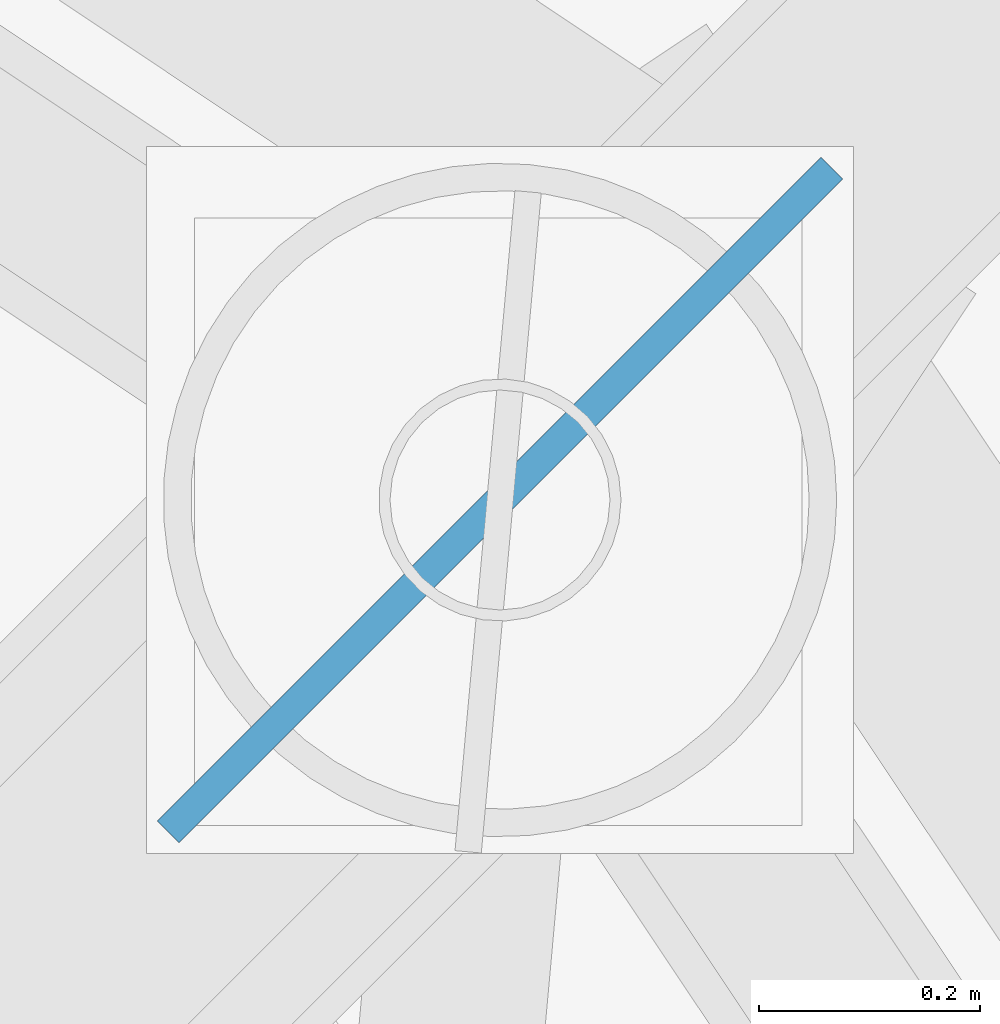
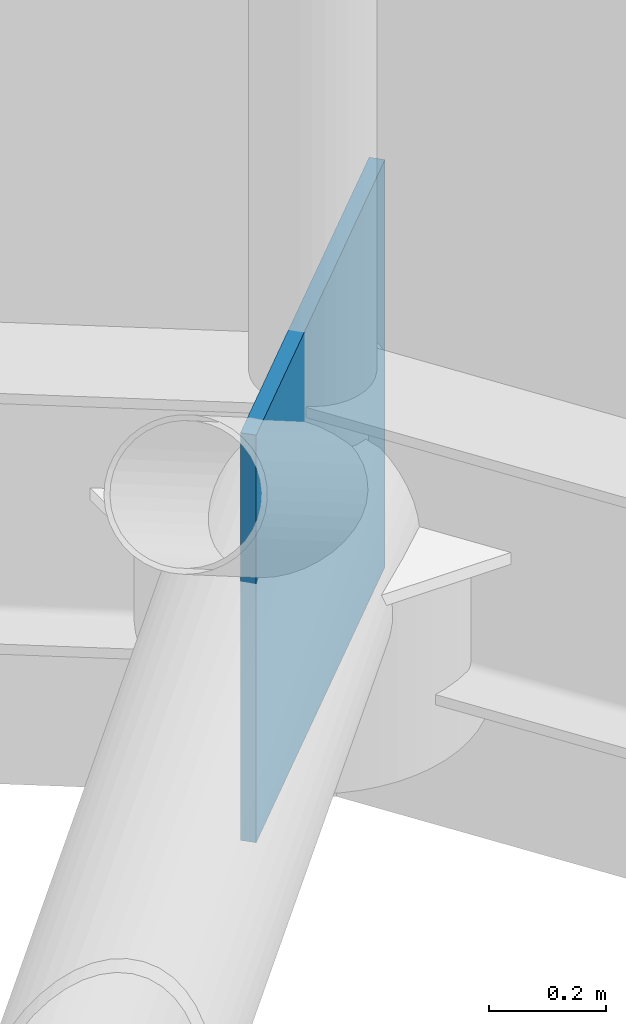
# One storey, part 119 of 146: 1 plate.
"""IFC4 building model written with IfcOpenShell, lengths in metres."""

import ifcopenshell
import ifcopenshell.guid

model = None  # the IFC model being written
_history = None  # IfcOwnerHistory: only IFC2X3 demands one
_inside = {}  # id of a spatial element -> (the spatial element, [elements in it])
_under = {}  # id of a project, library or spatial element -> (it, [spatial elements below it])
_declared = {}  # id of a project -> (the project, [libraries it declares])
_typed = {}  # id of a type object -> (the type object, [elements of that type])
_made_of = {}  # id of a material, layer set ... -> (it, [elements and type objects made of it])


def new_model(schema):
    """Start an empty IFC model of exactly this schema.

    Asked for "IFC4X3", IfcOpenShell would pick the latest addendum, in which some entities
    have other attributes; the version numbers below select the first issue.
    IFC2X3 requires an IfcOwnerHistory on every rooted entity: one is made here for all.
    """
    global model, _history
    if schema == "IFC4X3":
        model = ifcopenshell.file(schema_version=(4, 3, 0, 0))
    else:
        model = ifcopenshell.file(schema=schema)
    _inside.clear()
    _under.clear()
    _declared.clear()
    _typed.clear()
    _made_of.clear()
    _history = None
    if model.schema == "IFC2X3":
        org = make("IfcOrganization", Name="unknown")
        user = make(
            "IfcPersonAndOrganization",
            ThePerson=make("IfcPerson", FamilyName="unknown"),
            TheOrganization=org,
        )
        app = make(
            "IfcApplication",
            ApplicationDeveloper=org,
            Version="unknown",
            ApplicationFullName="unknown",
            ApplicationIdentifier="unknown",
        )
        _history = make(
            "IfcOwnerHistory",
            OwningUser=user,
            OwningApplication=app,
            ChangeAction="ADDED",
            CreationDate=0,
        )
    return model


def make(cls, **values):
    """One entity of the class cls with the attributes given. An attribute that is None is left unset."""
    return model.create_entity(
        cls, **{name: value for name, value in values.items() if value is not None}
    )


def rooted(cls, **values):
    """An entity with a GlobalId (a new one), such as an element, a storey or a relation."""
    return make(cls, GlobalId=ifcopenshell.guid.new(), OwnerHistory=_history, **values)


def si_unit(unit_type, name, prefix=None):
    """IfcSIUnit, for example si_unit("LENGTHUNIT", "METRE", prefix="MILLI")."""
    return make("IfcSIUnit", UnitType=unit_type, Prefix=prefix, Name=name)


def assignment(units):
    """IfcUnitAssignment: the units of a project."""
    return None if units is None else make("IfcUnitAssignment", Units=units)


def point(xyz):
    """IfcCartesianPoint."""
    return None if xyz is None else make("IfcCartesianPoint", Coordinates=xyz)


def direction(xyz):
    """IfcDirection."""
    return None if xyz is None else make("IfcDirection", DirectionRatios=xyz)


def frame(location, z_axis=None, x_axis=None):
    """IfcAxis2Placement3D, a coordinate frame: its origin and axes. An axis left out is left unset."""
    return make(
        "IfcAxis2Placement3D",
        Location=point(location),
        Axis=direction(z_axis),
        RefDirection=direction(x_axis),
    )


def frame_2d(location, x_axis=None):
    """IfcAxis2Placement2D, a coordinate frame in the plane: its origin and x axis."""
    return make(
        "IfcAxis2Placement2D", Location=point(location), RefDirection=direction(x_axis)
    )


def origin():
    """The frame at (0, 0, 0) with its axes left unset."""
    return frame((0.0, 0.0, 0.0))


def origin_2d():
    """The frame at (0, 0) in the plane with its x axis left unset."""
    return frame_2d((0.0, 0.0))


def place(relative_to, where):
    """IfcLocalPlacement: puts the frame where relative to a parent placement (None: the world)."""
    return make(
        "IfcLocalPlacement", PlacementRelTo=relative_to, RelativePlacement=where
    )


def context(
    kind, dimensions, precision=None, world=None, true_north=None, identifier=None
):
    """IfcGeometricRepresentationContext, for example the 3D "Model" context."""
    return make(
        "IfcGeometricRepresentationContext",
        ContextIdentifier=identifier,
        ContextType=kind,
        CoordinateSpaceDimension=dimensions,
        Precision=precision,
        WorldCoordinateSystem=world,
        TrueNorth=true_north,
    )


def subcontext(parent, identifier, kind, view, scale=None):
    """IfcGeometricRepresentationSubContext, for example "Body" below "Model"."""
    return make(
        "IfcGeometricRepresentationSubContext",
        ContextIdentifier=identifier,
        ContextType=kind,
        ParentContext=parent,
        TargetScale=scale,
        TargetView=view,
    )


def project(units=None, contexts=None):
    """IfcProject with its units and contexts."""
    return rooted(
        "IfcProject",
        Name="project",
        RepresentationContexts=contexts,
        UnitsInContext=assignment(units),
    )


def spatial(cls, under=None, at=None, **own):
    """A site, building, storey or space (cls), placed at a placement, below another one or the project."""
    s = rooted(cls, ObjectPlacement=at, **own)
    if under is not None:
        _under.setdefault(under.id(), (under, []))[1].append(s)
    return s


def profile(cls, at=None, kind="AREA", **sizes):
    """A parametric profile (cls). Its sizes go by their IFC names, for example OverallWidth=200.0."""
    return make(cls, ProfileType=kind, Position=at, **sizes)


def rectangle(**sizes):
    """IfcRectangleProfileDef."""
    return profile("IfcRectangleProfileDef", **sizes)


def extrude(swept, where, along, depth):
    """IfcExtrudedAreaSolid: the profile swept, set in the frame where, extruded along a direction by depth."""
    return make(
        "IfcExtrudedAreaSolid",
        SweptArea=swept,
        Position=where,
        ExtrudedDirection=direction(along),
        Depth=depth,
    )


def shape(context_of_items, identifier, shape_type, items):
    """IfcShapeRepresentation: the items that make up one representation, for example the "Body"."""
    return make(
        "IfcShapeRepresentation",
        ContextOfItems=context_of_items,
        RepresentationIdentifier=identifier,
        RepresentationType=shape_type,
        Items=items,
    )


def material(Name=None, Category=None):
    """IfcMaterial."""
    return make("IfcMaterial", Name=Name, Category=Category)


def layer(
    of_material, thickness, ventilated=None, Name=None, Category=None, Priority=None
):
    """IfcMaterialLayer: one layer of a wall or slab, of a material (None: an air gap)."""
    return make(
        "IfcMaterialLayer",
        Material=of_material,
        LayerThickness=thickness,
        IsVentilated=ventilated,
        Name=Name,
        Category=Category,
        Priority=Priority,
    )


def layer_set(layers, Name=None):
    """IfcMaterialLayerSet."""
    return make("IfcMaterialLayerSet", MaterialLayers=layers, LayerSetName=Name)


def made_of(thing, what):
    """Note that an element or type object is made of a material, layer set ...; save() writes the relation."""
    if what is not None:
        _made_of.setdefault(what.id(), (what, []))[1].append(thing)
    return thing


def type_object(cls, material=None, **own):
    """A type object (cls), such as IfcWallType, which elements share."""
    return made_of(rooted(cls, **own), material)


def element(
    cls,
    number,
    at=None,
    inside=None,
    cuts=None,
    type_object=None,
    material=None,
    context=None,
    identifier="Body",
    shape_type=None,
    held_by="IfcProductDefinitionShape",
    body=None,
    shapes=None,
    **own,
):
    """One element of the class cls, such as IfcWall. Its Tag is "e" and its number.

    at: its placement. inside: the storey or other place that contains it. cuts: it is an
    opening in that element (IfcRelVoidsElement). A single representation is given by context,
    identifier, shape_type and body (its items); several are given by shapes. held_by: the class
    of the entity that holds the representations. save() writes the other relations.
    """
    e = rooted(cls, Tag="e%d" % number, ObjectPlacement=at, **own)
    if body is not None:
        shapes = [shape(context, identifier, shape_type, body)]
    if shapes is not None:
        e.Representation = make(held_by, Representations=shapes)
    if inside is not None:
        _inside.setdefault(inside.id(), (inside, []))[1].append(e)
    if cuts is not None:
        rooted(
            "IfcRelVoidsElement", RelatingBuildingElement=cuts, RelatedOpeningElement=e
        )
    if type_object is not None:
        _typed.setdefault(type_object.id(), (type_object, []))[1].append(e)
    return made_of(e, material)


def aggregate(whole, parts):
    """IfcRelAggregates: a whole, such as a stair, and the parts it consists of."""
    return rooted("IfcRelAggregates", RelatingObject=whole, RelatedObjects=parts)


def save(model, path):
    """Write the relations noted so far, then the file.

    IfcRelAggregates (storeys below a building ...), IfcRelContainedInSpatialStructure (elements
    in a storey), IfcRelDefinesByType, IfcRelAssociatesMaterial and IfcRelDeclares: one each for
    every whole, place, type object, material and project.
    """
    for whole, parts in _under.values():
        aggregate(whole, parts)
    for where, things in _inside.values():
        rooted(
            "IfcRelContainedInSpatialStructure",
            RelatedElements=things,
            RelatingStructure=where,
        )
    for kind, things in _typed.values():
        rooted("IfcRelDefinesByType", RelatedObjects=things, RelatingType=kind)
    for what, things in _made_of.values():
        rooted("IfcRelAssociatesMaterial", RelatedObjects=things, RelatingMaterial=what)
    for by, libraries in _declared.values():
        rooted("IfcRelDeclares", RelatingContext=by, RelatedDefinitions=libraries)
    model.write(path)


model = new_model("IFC4")

# Units and contexts
model_context = context("Model", 3, precision=1e-05, world=origin(), true_north=direction((0.0, 1.0)))
body_context = subcontext(model_context, "Body", "Model", "MODEL_VIEW")
ifc_project = project(units=[si_unit("LENGTHUNIT", "METRE"), si_unit("AREAUNIT", "SQUARE_METRE"), si_unit("VOLUMEUNIT", "CUBIC_METRE"), si_unit("PLANEANGLEUNIT", "RADIAN"), si_unit("MASSUNIT", "GRAM", prefix="KILO")], contexts=[model_context])

# Site, building, storey
site_placement = place(None, origin())
site = spatial("IfcSite", under=ifc_project, at=site_placement, CompositionType="ELEMENT")
building_placement = place(site_placement, origin())
building = spatial("IfcBuilding", under=site, at=building_placement, Name="Candeia Ridge Stadium", CompositionType="ELEMENT")
storey_placement = place(building_placement, frame((0.0, 0.0, 31.800048828125)))
storey = spatial("IfcBuildingStorey", under=building, at=storey_placement, Name="RF", CompositionType="ELEMENT", Elevation=31.800048828125)

# Plate
ifc_material = material(Name="Steel ASTM A572 Grade 50", Category="steel")
ifc_layer = layer(ifc_material, 0.028076171875, Name="Steel ASTM A572 Grade 50", Category="steel")
ifc_layer_set = layer_set([ifc_layer], Name="Steel ASTM A572 Grade 50")
plate_type = type_object("IfcPlateType", Name="Roof Truss Outer Tie Node Gusset ND-2", PredefinedType="USERDEFINED", material=ifc_layer_set)
plate_placement = place(storey_placement, frame((177.76953125, 131.76953125, -0.025146484375), z_axis=(0.0, 0.0, 1.0), x_axis=(0.707106781187, 0.707106781187, 0.0)))
element("IfcPlate", 1, at=plate_placement, inside=storey, type_object=plate_type, Name="Roof truss outer support node ND-2 bay 35", ObjectType="GUSSET PLATE", PredefinedType="USERDEFINED", context=body_context, shape_type="SweptSolid", body=[
    extrude(rectangle(XDim=0.85009765625, YDim=0.028076171875, at=origin_2d()), origin(), (0.0, 0.0, 1.0), 0.85009765625),
])

save(model, "model.ifc")
